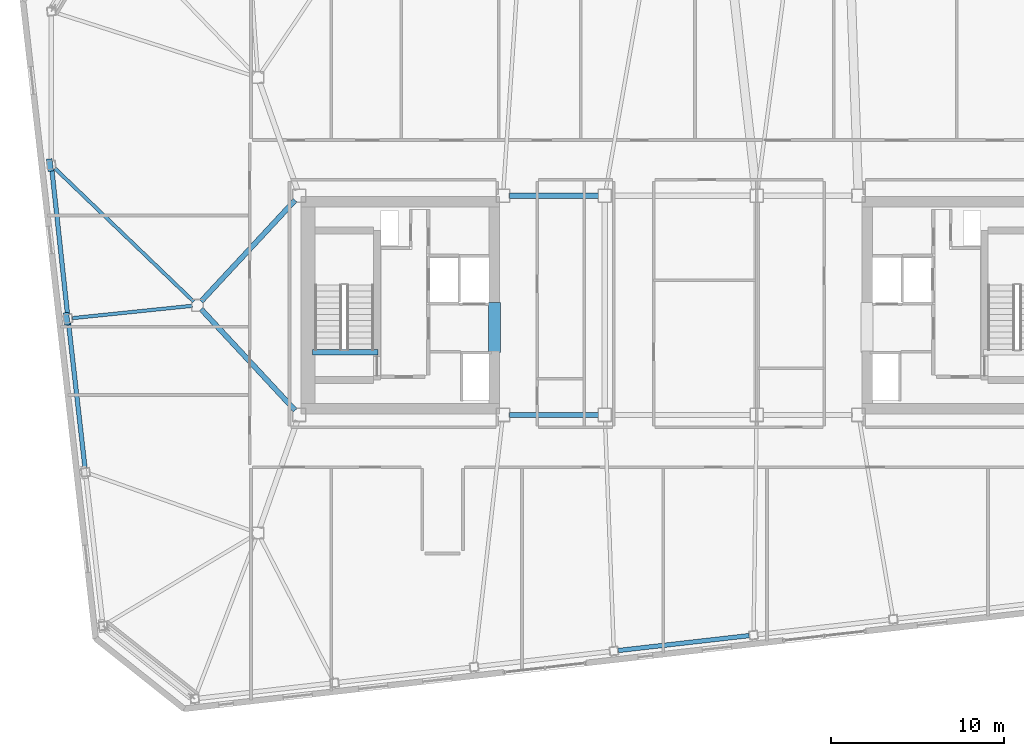
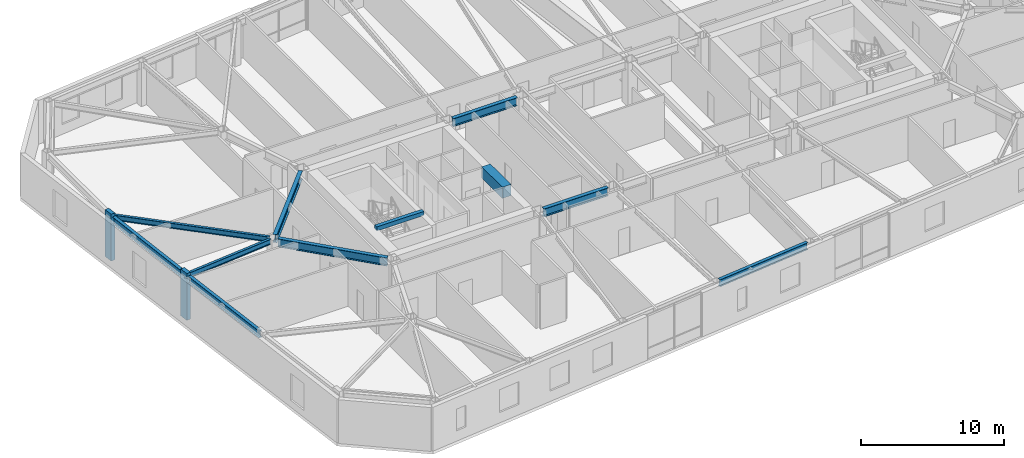
# One storey, part 7 of 19: 11 beams, 2 members.
"""IFC4 building model written with IfcOpenShell, lengths in metres."""

import ifcopenshell
import ifcopenshell.guid

model = None  # the IFC model being written
_history = None  # IfcOwnerHistory: only IFC2X3 demands one
_inside = {}  # id of a spatial element -> (the spatial element, [elements in it])
_under = {}  # id of a project, library or spatial element -> (it, [spatial elements below it])
_declared = {}  # id of a project -> (the project, [libraries it declares])
_typed = {}  # id of a type object -> (the type object, [elements of that type])
_made_of = {}  # id of a material, layer set ... -> (it, [elements and type objects made of it])


def new_model(schema):
    """Start an empty IFC model of exactly this schema.

    Asked for "IFC4X3", IfcOpenShell would pick the latest addendum, in which some entities
    have other attributes; the version numbers below select the first issue.
    IFC2X3 requires an IfcOwnerHistory on every rooted entity: one is made here for all.
    """
    global model, _history
    if schema == "IFC4X3":
        model = ifcopenshell.file(schema_version=(4, 3, 0, 0))
    else:
        model = ifcopenshell.file(schema=schema)
    _inside.clear()
    _under.clear()
    _declared.clear()
    _typed.clear()
    _made_of.clear()
    _history = None
    if model.schema == "IFC2X3":
        org = make("IfcOrganization", Name="unknown")
        user = make(
            "IfcPersonAndOrganization",
            ThePerson=make("IfcPerson", FamilyName="unknown"),
            TheOrganization=org,
        )
        app = make(
            "IfcApplication",
            ApplicationDeveloper=org,
            Version="unknown",
            ApplicationFullName="unknown",
            ApplicationIdentifier="unknown",
        )
        _history = make(
            "IfcOwnerHistory",
            OwningUser=user,
            OwningApplication=app,
            ChangeAction="ADDED",
            CreationDate=0,
        )
    return model


def make(cls, **values):
    """One entity of the class cls with the attributes given. An attribute that is None is left unset."""
    return model.create_entity(
        cls, **{name: value for name, value in values.items() if value is not None}
    )


def rooted(cls, **values):
    """An entity with a GlobalId (a new one), such as an element, a storey or a relation."""
    return make(cls, GlobalId=ifcopenshell.guid.new(), OwnerHistory=_history, **values)


def si_unit(unit_type, name, prefix=None):
    """IfcSIUnit, for example si_unit("LENGTHUNIT", "METRE", prefix="MILLI")."""
    return make("IfcSIUnit", UnitType=unit_type, Prefix=prefix, Name=name)


def assignment(units):
    """IfcUnitAssignment: the units of a project."""
    return None if units is None else make("IfcUnitAssignment", Units=units)


def point(xyz):
    """IfcCartesianPoint."""
    return None if xyz is None else make("IfcCartesianPoint", Coordinates=xyz)


def direction(xyz):
    """IfcDirection."""
    return None if xyz is None else make("IfcDirection", DirectionRatios=xyz)


def frame(location, z_axis=None, x_axis=None):
    """IfcAxis2Placement3D, a coordinate frame: its origin and axes. An axis left out is left unset."""
    return make(
        "IfcAxis2Placement3D",
        Location=point(location),
        Axis=direction(z_axis),
        RefDirection=direction(x_axis),
    )


def frame_2d(location, x_axis=None):
    """IfcAxis2Placement2D, a coordinate frame in the plane: its origin and x axis."""
    return make(
        "IfcAxis2Placement2D", Location=point(location), RefDirection=direction(x_axis)
    )


def origin():
    """The frame at (0, 0, 0) with its axes left unset."""
    return frame((0.0, 0.0, 0.0))


def origin_2d():
    """The frame at (0, 0) in the plane with its x axis left unset."""
    return frame_2d((0.0, 0.0))


def place(relative_to, where):
    """IfcLocalPlacement: puts the frame where relative to a parent placement (None: the world)."""
    return make(
        "IfcLocalPlacement", PlacementRelTo=relative_to, RelativePlacement=where
    )


def context(
    kind, dimensions, precision=None, world=None, true_north=None, identifier=None
):
    """IfcGeometricRepresentationContext, for example the 3D "Model" context."""
    return make(
        "IfcGeometricRepresentationContext",
        ContextIdentifier=identifier,
        ContextType=kind,
        CoordinateSpaceDimension=dimensions,
        Precision=precision,
        WorldCoordinateSystem=world,
        TrueNorth=true_north,
    )


def subcontext(parent, identifier, kind, view, scale=None):
    """IfcGeometricRepresentationSubContext, for example "Body" below "Model"."""
    return make(
        "IfcGeometricRepresentationSubContext",
        ContextIdentifier=identifier,
        ContextType=kind,
        ParentContext=parent,
        TargetScale=scale,
        TargetView=view,
    )


def project(units=None, contexts=None):
    """IfcProject with its units and contexts."""
    return rooted(
        "IfcProject",
        Name="project",
        RepresentationContexts=contexts,
        UnitsInContext=assignment(units),
    )


def spatial(cls, under=None, at=None, **own):
    """A site, building, storey or space (cls), placed at a placement, below another one or the project."""
    s = rooted(cls, ObjectPlacement=at, **own)
    if under is not None:
        _under.setdefault(under.id(), (under, []))[1].append(s)
    return s


def profile(cls, at=None, kind="AREA", **sizes):
    """A parametric profile (cls). Its sizes go by their IFC names, for example OverallWidth=200.0."""
    return make(cls, ProfileType=kind, Position=at, **sizes)


def rectangle(**sizes):
    """IfcRectangleProfileDef."""
    return profile("IfcRectangleProfileDef", **sizes)


def i_section(**sizes):
    """IfcIShapeProfileDef."""
    return profile("IfcIShapeProfileDef", **sizes)


def extrude(swept, where, along, depth):
    """IfcExtrudedAreaSolid: the profile swept, set in the frame where, extruded along a direction by depth."""
    return make(
        "IfcExtrudedAreaSolid",
        SweptArea=swept,
        Position=where,
        ExtrudedDirection=direction(along),
        Depth=depth,
    )


def shape(context_of_items, identifier, shape_type, items):
    """IfcShapeRepresentation: the items that make up one representation, for example the "Body"."""
    return make(
        "IfcShapeRepresentation",
        ContextOfItems=context_of_items,
        RepresentationIdentifier=identifier,
        RepresentationType=shape_type,
        Items=items,
    )


def material(Name=None, Category=None):
    """IfcMaterial."""
    return make("IfcMaterial", Name=Name, Category=Category)


def material_profile(
    of_material, cross_section, Name=None, Category=None, Priority=None
):
    """IfcMaterialProfile: a cross section and its material."""
    return make(
        "IfcMaterialProfile",
        Name=Name,
        Material=of_material,
        Profile=cross_section,
        Priority=Priority,
        Category=Category,
    )


def profile_set(profiles, Name=None, composite=None):
    """IfcMaterialProfileSet."""
    return make(
        "IfcMaterialProfileSet",
        Name=Name,
        MaterialProfiles=profiles,
        CompositeProfile=composite,
    )


def made_of(thing, what):
    """Note that an element or type object is made of a material, layer set ...; save() writes the relation."""
    if what is not None:
        _made_of.setdefault(what.id(), (what, []))[1].append(thing)
    return thing


def type_object(cls, material=None, **own):
    """A type object (cls), such as IfcWallType, which elements share."""
    return made_of(rooted(cls, **own), material)


def element(
    cls,
    number,
    at=None,
    inside=None,
    cuts=None,
    type_object=None,
    material=None,
    context=None,
    identifier="Body",
    shape_type=None,
    held_by="IfcProductDefinitionShape",
    body=None,
    shapes=None,
    **own,
):
    """One element of the class cls, such as IfcWall. Its Tag is "e" and its number.

    at: its placement. inside: the storey or other place that contains it. cuts: it is an
    opening in that element (IfcRelVoidsElement). A single representation is given by context,
    identifier, shape_type and body (its items); several are given by shapes. held_by: the class
    of the entity that holds the representations. save() writes the other relations.
    """
    e = rooted(cls, Tag="e%d" % number, ObjectPlacement=at, **own)
    if body is not None:
        shapes = [shape(context, identifier, shape_type, body)]
    if shapes is not None:
        e.Representation = make(held_by, Representations=shapes)
    if inside is not None:
        _inside.setdefault(inside.id(), (inside, []))[1].append(e)
    if cuts is not None:
        rooted(
            "IfcRelVoidsElement", RelatingBuildingElement=cuts, RelatedOpeningElement=e
        )
    if type_object is not None:
        _typed.setdefault(type_object.id(), (type_object, []))[1].append(e)
    return made_of(e, material)


def aggregate(whole, parts):
    """IfcRelAggregates: a whole, such as a stair, and the parts it consists of."""
    return rooted("IfcRelAggregates", RelatingObject=whole, RelatedObjects=parts)


def save(model, path):
    """Write the relations noted so far, then the file.

    IfcRelAggregates (storeys below a building ...), IfcRelContainedInSpatialStructure (elements
    in a storey), IfcRelDefinesByType, IfcRelAssociatesMaterial and IfcRelDeclares: one each for
    every whole, place, type object, material and project.
    """
    for whole, parts in _under.values():
        aggregate(whole, parts)
    for where, things in _inside.values():
        rooted(
            "IfcRelContainedInSpatialStructure",
            RelatedElements=things,
            RelatingStructure=where,
        )
    for kind, things in _typed.values():
        rooted("IfcRelDefinesByType", RelatedObjects=things, RelatingType=kind)
    for what, things in _made_of.values():
        rooted("IfcRelAssociatesMaterial", RelatedObjects=things, RelatingMaterial=what)
    for by, libraries in _declared.values():
        rooted("IfcRelDeclares", RelatingContext=by, RelatedDefinitions=libraries)
    model.write(path)


model = new_model("IFC4")

# Units and contexts
model_context = context("Model", 3, precision=1e-05, world=origin(), true_north=direction((0.0, 1.0)))
body_context = subcontext(model_context, "Body", "Model", "MODEL_VIEW")
ifc_project = project(units=[si_unit("LENGTHUNIT", "METRE"), si_unit("AREAUNIT", "SQUARE_METRE"), si_unit("VOLUMEUNIT", "CUBIC_METRE"), si_unit("PLANEANGLEUNIT", "RADIAN"), si_unit("MASSUNIT", "GRAM", prefix="KILO")], contexts=[model_context])

# Site, building, storey
site_placement = place(None, origin())
site = spatial("IfcSite", under=ifc_project, at=site_placement, CompositionType="ELEMENT")
building_placement = place(site_placement, origin())
building = spatial("IfcBuilding", under=site, at=building_placement, Name="Tavrogorsk Clinical Tower", CompositionType="ELEMENT")
storey_placement = place(building_placement, frame((0.0, 0.0, 243.0)))
storey = spatial("IfcBuildingStorey", under=building, at=storey_placement, Name="L56", CompositionType="ELEMENT", Elevation=243.0)

# Beams
ifc_material_1 = material(Name="Concrete B80", Category="concrete")
ifc_material_profile_1 = material_profile(ifc_material_1, rectangle(XDim=0.699951171875, YDim=0.949951171875, at=origin_2d()), Name="RC-CB-700x950")
ifc_profile_set_1 = profile_set([ifc_material_profile_1], Name="Concrete B80")
beam_type_1 = type_object("IfcBeamType", Name="CouplingBeam_RC700x950", PredefinedType="LINTEL", material=ifc_profile_set_1)
beam_1_placement = place(storey_placement, frame((-10.800048828125, -2.75, 3.264892578125), z_axis=(0.0, 1.0, 0.0), x_axis=(-1.0, 0.0, 0.0)))
element("IfcBeam", 1, at=beam_1_placement, inside=storey, type_object=beam_type_1, Name="L56 Core West Coupling Beam", PredefinedType="LINTEL", context=body_context, shape_type="SweptSolid", body=[
    extrude(rectangle(XDim=0.699951171875, YDim=0.949951171875, at=origin_2d()), origin(), (0.0, 0.0, 1.0), 2.89990234375),
])
ifc_material_2 = material(Name="Structural steel S355", Category="steel")
ifc_material_profile_2 = material_profile(ifc_material_2, i_section(OverallWidth=0.199951171875, OverallDepth=0.449951171875, WebThickness=0.011474609375, FlangeThickness=0.01806640625, at=origin_2d()), Name="B-450x200x11.5x18")
ifc_profile_set_2 = profile_set([ifc_material_profile_2], Name="Structural steel S355")
beam_type_2 = type_object("IfcBeamType", Name="FloorBeam_B450", PredefinedType="BEAM", material=ifc_profile_set_2)
beam_2_placement = place(storey_placement, frame((-28.2236328125, 0.214599609375, 3.514892578125), z_axis=(-0.721413519982, 0.692504536582, 0.0), x_axis=(-0.692504536582, -0.721413519982, 0.0)))
element("IfcBeam", 2, at=beam_2_placement, inside=storey, type_object=beam_type_2, Name="L56 Radial Floor Beam W2", PredefinedType="BEAM", context=body_context, shape_type="SweptSolid", body=[
    extrude(i_section(OverallWidth=0.199951171875, OverallDepth=0.449951171875, WebThickness=0.011474609375, FlangeThickness=0.01806640625, at=origin_2d()), origin(), (0.0, 0.0, 1.0), 11.1728515625),
])
beam_3_placement = place(storey_placement, frame((-28.308349609375, -0.03173828125, 3.514892578125), z_axis=(-0.994752624307, -0.102309415177, 0.0), x_axis=(0.102309415177, -0.994752624307, 0.0)))
element("IfcBeam", 3, at=beam_3_placement, inside=storey, type_object=beam_type_2, Name="L56 Radial Floor Beam W3", PredefinedType="BEAM", context=body_context, shape_type="SweptSolid", body=[
    extrude(i_section(OverallWidth=0.199951171875, OverallDepth=0.449951171875, WebThickness=0.011474609375, FlangeThickness=0.01806640625, at=origin_2d()), origin(), (0.0, 0.0, 1.0), 6.9775390625),
])

# Members
ifc_material_3 = material(Name="Precast concrete B45 with limestone cladding", Category="masonry")
ifc_material_profile_3 = material_profile(ifc_material_3, rectangle(XDim=0.320068359375, YDim=0.719970703125, at=origin_2d()), Name="LIMESTONE-FIN-320x720")
ifc_profile_set_3 = profile_set([ifc_material_profile_3], Name="Precast concrete B45 with limestone cladding")
member_type = type_object("IfcMemberType", Name="LimestonePleatFin_320x720", PredefinedType="USERDEFINED", material=ifc_profile_set_3)
for number, where, z_axis, x_axis, name in (
    (4, (-36.549560546875, 8.121337890625, 0.0), (0.0, 0.0, 1.0), (0.993571855677, 0.113203213768, 0.0), "L56 W Pleated Stone Fin 1"),
    (5, (-35.585205078125, -0.781005859375, 0.0), (0.0, 0.0, 1.0), (0.993571855677, 0.113203213768, 0.0), "L56 W Pleated Stone Fin 2"),
):
    element("IfcMember", number, at=place(storey_placement, frame(where, z_axis=z_axis, x_axis=x_axis)), inside=storey, type_object=member_type, Name=name, ObjectType="FIN", PredefinedType="USERDEFINED", context=body_context, shape_type="SweptSolid", body=[
        extrude(rectangle(XDim=0.320068359375, YDim=0.719970703125, at=origin_2d()), origin(), (0.0, 0.0, 1.0), 4.0),
    ])

# Beams
ifc_material_4 = material(Name="Structural steel S390", Category="steel")
ifc_material_profile_4 = material_profile(ifc_material_4, i_section(OverallWidth=0.300048828125, OverallDepth=0.699951171875, WebThickness=0.01708984375, FlangeThickness=0.028076171875, at=origin_2d()), Name="B-700x300x17x28")
ifc_profile_set_4 = profile_set([ifc_material_profile_4], Name="Structural steel S390")
beam_type_3 = type_object("IfcBeamType", Name="PrimaryGirder_B700", PredefinedType="USERDEFINED", material=ifc_profile_set_4)
for number, where, z_axis, x_axis, name in (
    (6, (-9.93994140625, -6.35009765625, 3.389892578125), (1.0, 0.0, 0.0), (0.0, 1.0, 0.0), "L56 Primary Spine Girder MG-01"),
    (7, (-9.93994140625, 6.35009765625, 3.389892578125), (1.0, 0.0, 0.0), (0.0, 1.0, 0.0), "L56 Primary Spine Girder MG-02"),
):
    element("IfcBeam", number, at=place(storey_placement, frame(where, z_axis=z_axis, x_axis=x_axis)), inside=storey, type_object=beam_type_3, Name=name, ObjectType="GIRDER", PredefinedType="USERDEFINED", context=body_context, shape_type="SweptSolid", body=[
        extrude(i_section(OverallWidth=0.300048828125, OverallDepth=0.699951171875, WebThickness=0.01708984375, FlangeThickness=0.028076171875, at=origin_2d()), origin(), (0.0, 0.0, 1.0), 5.179931640625),
    ])
for number, where, z_axis, x_axis, name in (
    (8, (-27.7890625, -0.22705078125, 3.389892578125), (0.680684060959, -0.732577101168, 0.0), (0.732577101168, 0.680684060959, 0.0), "L56 Spine Link Girder OPG-5"),
    (9, (-27.7890625, 0.22705078125, 3.389892578125), (0.680684060959, 0.732577101168, 0.0), (-0.732577101168, 0.680684060959, 0.0), "L56 Spine Link Girder OPG-6"),
):
    element("IfcBeam", number, at=place(storey_placement, frame(where, z_axis=z_axis, x_axis=x_axis)), inside=storey, type_object=beam_type_3, Name=name, ObjectType="GIRDER", PredefinedType="USERDEFINED", context=body_context, shape_type="SweptSolid", body=[
        extrude(i_section(OverallWidth=0.300048828125, OverallDepth=0.699951171875, WebThickness=0.01708984375, FlangeThickness=0.028076171875, at=origin_2d()), origin(), (0.0, 0.0, 1.0), 7.998046875),
    ])
ifc_material_5 = material(Name="Structural steel S390", Category="steel")
ifc_material_profile_5 = material_profile(ifc_material_5, i_section(OverallWidth=0.260009765625, OverallDepth=0.60009765625, WebThickness=0.014892578125, FlangeThickness=0.02392578125, at=origin_2d()), Name="B-600x260x15x24")
ifc_profile_set_5 = profile_set([ifc_material_profile_5], Name="Structural steel S390")
beam_type_4 = type_object("IfcBeamType", Name="SpandrelBeam_B600", PredefinedType="SPANDREL", material=ifc_profile_set_5)
beam_4_placement = place(storey_placement, frame((-3.619873046875, -20.006103515625, 3.43994140625), z_axis=(0.993568911788, 0.113229048956, 0.0), x_axis=(-0.113229048956, 0.993568911788, 0.0)))
element("IfcBeam", 10, at=beam_4_placement, inside=storey, type_object=beam_type_4, Name="L56 Perimeter Spandrel S4-S5", PredefinedType="SPANDREL", context=body_context, shape_type="SweptSolid", body=[
    extrude(i_section(OverallWidth=0.260009765625, OverallDepth=0.60009765625, WebThickness=0.014892578125, FlangeThickness=0.02392578125, at=origin_2d()), origin(), (0.0, 0.0, 1.0), 7.6328125),
])
beam_5_placement = place(storey_placement, frame((-36.442138671875, 7.8740234375, 3.43994140625), z_axis=(0.107655746314, -0.994188231818, 0.0), x_axis=(0.994188231818, 0.107655746314, 0.0)))
element("IfcBeam", 11, at=beam_5_placement, inside=storey, type_object=beam_type_4, Name="L56 Perimeter Spandrel W2-W3", PredefinedType="SPANDREL", context=body_context, shape_type="SweptSolid", body=[
    extrude(i_section(OverallWidth=0.260009765625, OverallDepth=0.60009765625, WebThickness=0.014892578125, FlangeThickness=0.02392578125, at=origin_2d()), origin(), (0.0, 0.0, 1.0), 8.4384765625),
])
beam_6_placement = place(storey_placement, frame((-35.4765625, -1.0283203125, 3.43994140625), z_axis=(0.113195129234, -0.99357277676, 0.0), x_axis=(0.99357277676, 0.113195129234, 0.0)))
element("IfcBeam", 12, at=beam_6_placement, inside=storey, type_object=beam_type_4, Name="L56 Perimeter Spandrel W3-W4", PredefinedType="SPANDREL", context=body_context, shape_type="SweptSolid", body=[
    extrude(i_section(OverallWidth=0.260009765625, OverallDepth=0.60009765625, WebThickness=0.014892578125, FlangeThickness=0.02392578125, at=origin_2d()), origin(), (0.0, 0.0, 1.0), 8.44384765625),
])
ifc_material_6 = material(Name="Concrete B60", Category="concrete")
ifc_material_profile_6 = material_profile(ifc_material_6, rectangle(XDim=0.300048828125, YDim=0.35009765625, at=origin_2d()), Name="RC-SHB-300x350")
ifc_profile_set_6 = profile_set([ifc_material_profile_6], Name="Concrete B60")
beam_type_5 = type_object("IfcBeamType", Name="StairHeaderBeam_RC300x350", PredefinedType="BEAM", material=ifc_profile_set_6)
beam_7_placement = place(storey_placement, frame((-21.35009765625, -2.719970703125, 3.824951171875), z_axis=(1.0, 0.0, 0.0), x_axis=(0.0, 1.0, 0.0)))
element("IfcBeam", 13, at=beam_7_placement, inside=storey, type_object=beam_type_5, Name="L57 ST-W Landing Header Beam", PredefinedType="BEAM", context=body_context, shape_type="SweptSolid", body=[
    extrude(rectangle(XDim=0.300048828125, YDim=0.35009765625, at=origin_2d()), origin(), (0.0, 0.0, 1.0), 3.800048828125),
])

save(model, "model.ifc")
